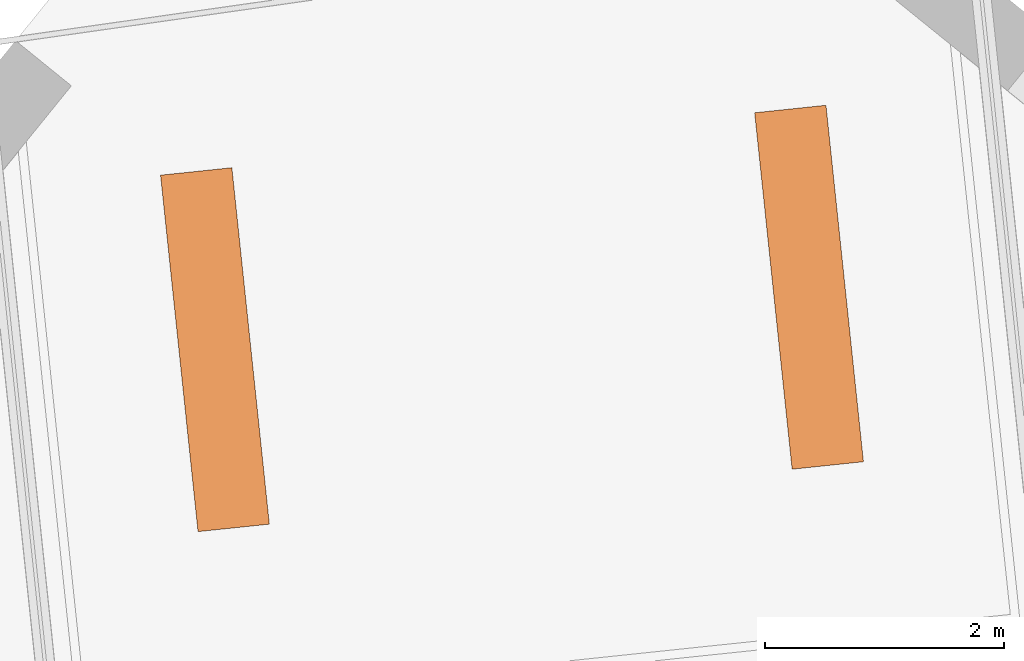
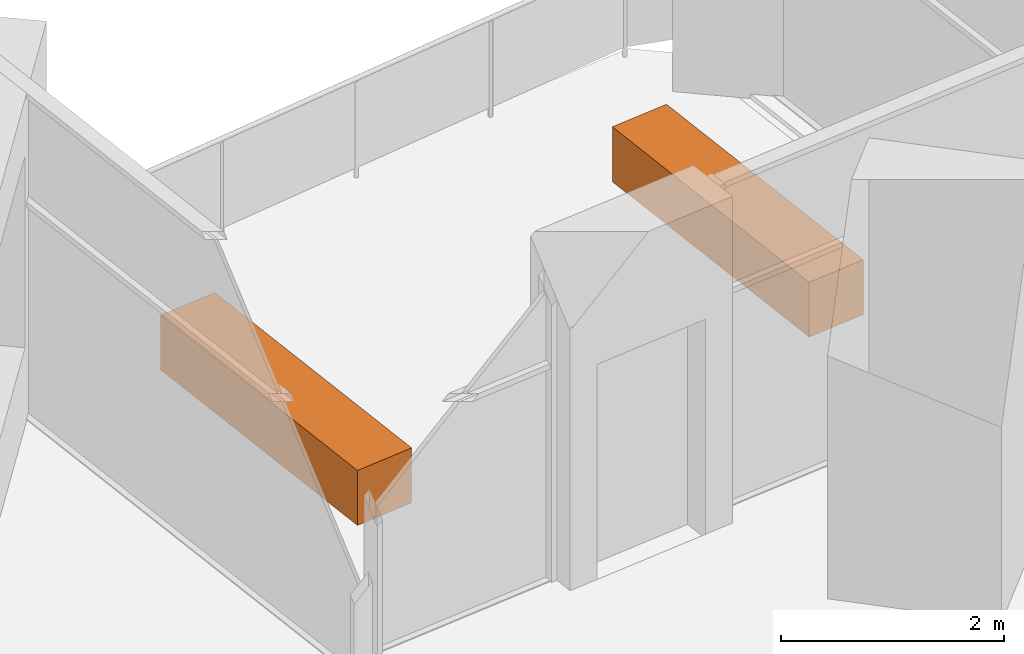
# One storey, part 14 of 14: 2 proxies.
"""IFC4 building model written with IfcOpenShell, lengths in metres."""

import ifcopenshell
import ifcopenshell.guid

model = None  # the IFC model being written
_history = None  # IfcOwnerHistory: only IFC2X3 demands one
_inside = {}  # id of a spatial element -> (the spatial element, [elements in it])
_under = {}  # id of a project, library or spatial element -> (it, [spatial elements below it])
_declared = {}  # id of a project -> (the project, [libraries it declares])
_typed = {}  # id of a type object -> (the type object, [elements of that type])
_made_of = {}  # id of a material, layer set ... -> (it, [elements and type objects made of it])


def new_model(schema):
    """Start an empty IFC model of exactly this schema.

    Asked for "IFC4X3", IfcOpenShell would pick the latest addendum, in which some entities
    have other attributes; the version numbers below select the first issue.
    IFC2X3 requires an IfcOwnerHistory on every rooted entity: one is made here for all.
    """
    global model, _history
    if schema == "IFC4X3":
        model = ifcopenshell.file(schema_version=(4, 3, 0, 0))
    else:
        model = ifcopenshell.file(schema=schema)
    _inside.clear()
    _under.clear()
    _declared.clear()
    _typed.clear()
    _made_of.clear()
    _history = None
    if model.schema == "IFC2X3":
        org = make("IfcOrganization", Name="unknown")
        user = make(
            "IfcPersonAndOrganization",
            ThePerson=make("IfcPerson", FamilyName="unknown"),
            TheOrganization=org,
        )
        app = make(
            "IfcApplication",
            ApplicationDeveloper=org,
            Version="unknown",
            ApplicationFullName="unknown",
            ApplicationIdentifier="unknown",
        )
        _history = make(
            "IfcOwnerHistory",
            OwningUser=user,
            OwningApplication=app,
            ChangeAction="ADDED",
            CreationDate=0,
        )
    return model


def make(cls, **values):
    """One entity of the class cls with the attributes given. An attribute that is None is left unset."""
    return model.create_entity(
        cls, **{name: value for name, value in values.items() if value is not None}
    )


def rooted(cls, **values):
    """An entity with a GlobalId (a new one), such as an element, a storey or a relation."""
    return make(cls, GlobalId=ifcopenshell.guid.new(), OwnerHistory=_history, **values)


def si_unit(unit_type, name, prefix=None):
    """IfcSIUnit, for example si_unit("LENGTHUNIT", "METRE", prefix="MILLI")."""
    return make("IfcSIUnit", UnitType=unit_type, Prefix=prefix, Name=name)


def assignment(units):
    """IfcUnitAssignment: the units of a project."""
    return None if units is None else make("IfcUnitAssignment", Units=units)


def point(xyz):
    """IfcCartesianPoint."""
    return None if xyz is None else make("IfcCartesianPoint", Coordinates=xyz)


def direction(xyz):
    """IfcDirection."""
    return None if xyz is None else make("IfcDirection", DirectionRatios=xyz)


def frame(location, z_axis=None, x_axis=None):
    """IfcAxis2Placement3D, a coordinate frame: its origin and axes. An axis left out is left unset."""
    return make(
        "IfcAxis2Placement3D",
        Location=point(location),
        Axis=direction(z_axis),
        RefDirection=direction(x_axis),
    )


def frame_2d(location, x_axis=None):
    """IfcAxis2Placement2D, a coordinate frame in the plane: its origin and x axis."""
    return make(
        "IfcAxis2Placement2D", Location=point(location), RefDirection=direction(x_axis)
    )


def origin():
    """The frame at (0, 0, 0) with its axes left unset."""
    return frame((0.0, 0.0, 0.0))


def origin_2d():
    """The frame at (0, 0) in the plane with its x axis left unset."""
    return frame_2d((0.0, 0.0))


def place(relative_to, where):
    """IfcLocalPlacement: puts the frame where relative to a parent placement (None: the world)."""
    return make(
        "IfcLocalPlacement", PlacementRelTo=relative_to, RelativePlacement=where
    )


def context(
    kind, dimensions, precision=None, world=None, true_north=None, identifier=None
):
    """IfcGeometricRepresentationContext, for example the 3D "Model" context."""
    return make(
        "IfcGeometricRepresentationContext",
        ContextIdentifier=identifier,
        ContextType=kind,
        CoordinateSpaceDimension=dimensions,
        Precision=precision,
        WorldCoordinateSystem=world,
        TrueNorth=true_north,
    )


def subcontext(parent, identifier, kind, view, scale=None):
    """IfcGeometricRepresentationSubContext, for example "Body" below "Model"."""
    return make(
        "IfcGeometricRepresentationSubContext",
        ContextIdentifier=identifier,
        ContextType=kind,
        ParentContext=parent,
        TargetScale=scale,
        TargetView=view,
    )


def project(units=None, contexts=None):
    """IfcProject with its units and contexts."""
    return rooted(
        "IfcProject",
        Name="project",
        RepresentationContexts=contexts,
        UnitsInContext=assignment(units),
    )


def spatial(cls, under=None, at=None, **own):
    """A site, building, storey or space (cls), placed at a placement, below another one or the project."""
    s = rooted(cls, ObjectPlacement=at, **own)
    if under is not None:
        _under.setdefault(under.id(), (under, []))[1].append(s)
    return s


def profile(cls, at=None, kind="AREA", **sizes):
    """A parametric profile (cls). Its sizes go by their IFC names, for example OverallWidth=200.0."""
    return make(cls, ProfileType=kind, Position=at, **sizes)


def rectangle(**sizes):
    """IfcRectangleProfileDef."""
    return profile("IfcRectangleProfileDef", **sizes)


def extrude(swept, where, along, depth):
    """IfcExtrudedAreaSolid: the profile swept, set in the frame where, extruded along a direction by depth."""
    return make(
        "IfcExtrudedAreaSolid",
        SweptArea=swept,
        Position=where,
        ExtrudedDirection=direction(along),
        Depth=depth,
    )


def shape(context_of_items, identifier, shape_type, items):
    """IfcShapeRepresentation: the items that make up one representation, for example the "Body"."""
    return make(
        "IfcShapeRepresentation",
        ContextOfItems=context_of_items,
        RepresentationIdentifier=identifier,
        RepresentationType=shape_type,
        Items=items,
    )


def made_of(thing, what):
    """Note that an element or type object is made of a material, layer set ...; save() writes the relation."""
    if what is not None:
        _made_of.setdefault(what.id(), (what, []))[1].append(thing)
    return thing


def element(
    cls,
    number,
    at=None,
    inside=None,
    cuts=None,
    type_object=None,
    material=None,
    context=None,
    identifier="Body",
    shape_type=None,
    held_by="IfcProductDefinitionShape",
    body=None,
    shapes=None,
    **own,
):
    """One element of the class cls, such as IfcWall. Its Tag is "e" and its number.

    at: its placement. inside: the storey or other place that contains it. cuts: it is an
    opening in that element (IfcRelVoidsElement). A single representation is given by context,
    identifier, shape_type and body (its items); several are given by shapes. held_by: the class
    of the entity that holds the representations. save() writes the other relations.
    """
    e = rooted(cls, Tag="e%d" % number, ObjectPlacement=at, **own)
    if body is not None:
        shapes = [shape(context, identifier, shape_type, body)]
    if shapes is not None:
        e.Representation = make(held_by, Representations=shapes)
    if inside is not None:
        _inside.setdefault(inside.id(), (inside, []))[1].append(e)
    if cuts is not None:
        rooted(
            "IfcRelVoidsElement", RelatingBuildingElement=cuts, RelatedOpeningElement=e
        )
    if type_object is not None:
        _typed.setdefault(type_object.id(), (type_object, []))[1].append(e)
    return made_of(e, material)


def aggregate(whole, parts):
    """IfcRelAggregates: a whole, such as a stair, and the parts it consists of."""
    return rooted("IfcRelAggregates", RelatingObject=whole, RelatedObjects=parts)


def save(model, path):
    """Write the relations noted so far, then the file.

    IfcRelAggregates (storeys below a building ...), IfcRelContainedInSpatialStructure (elements
    in a storey), IfcRelDefinesByType, IfcRelAssociatesMaterial and IfcRelDeclares: one each for
    every whole, place, type object, material and project.
    """
    for whole, parts in _under.values():
        aggregate(whole, parts)
    for where, things in _inside.values():
        rooted(
            "IfcRelContainedInSpatialStructure",
            RelatedElements=things,
            RelatingStructure=where,
        )
    for kind, things in _typed.values():
        rooted("IfcRelDefinesByType", RelatedObjects=things, RelatingType=kind)
    for what, things in _made_of.values():
        rooted("IfcRelAssociatesMaterial", RelatedObjects=things, RelatingMaterial=what)
    for by, libraries in _declared.values():
        rooted("IfcRelDeclares", RelatingContext=by, RelatedDefinitions=libraries)
    model.write(path)


model = new_model("IFC4")

# Units and contexts
model_context = context("Model", 3, precision=1e-05, world=origin(), true_north=direction((0.0, 1.0)))
body_context = subcontext(model_context, "Body", "Model", "MODEL_VIEW")
ifc_project = project(units=[si_unit("LENGTHUNIT", "METRE"), si_unit("AREAUNIT", "SQUARE_METRE"), si_unit("VOLUMEUNIT", "CUBIC_METRE"), si_unit("PLANEANGLEUNIT", "RADIAN"), si_unit("MASSUNIT", "GRAM", prefix="KILO")], contexts=[model_context])

# Site, building, storey
site_placement = place(None, origin())
site = spatial("IfcSite", under=ifc_project, at=site_placement, CompositionType="ELEMENT")
building_placement = place(site_placement, origin())
building = spatial("IfcBuilding", under=site, at=building_placement, Name="Dilmun Exchange Tower", CompositionType="ELEMENT")
storey_placement = place(building_placement, frame((0.0, 0.0, 229.300048828125)))
storey = spatial("IfcBuildingStorey", under=building, at=storey_placement, Name="L54", CompositionType="ELEMENT", Elevation=229.300048828125)

# Proxies
for number, where, z_axis, x_axis, name in (
    (1, (2.630859375, 32.70947265625, 0.0), (0.0, 0.0, 1.0), (-0.104528463268, 0.994521895368, 0.0), "PLANTER Date palm L54.1"),
    (2, (-2.341796875, 32.18701171875, 0.0), (0.0, 0.0, 1.0), (-0.104528463268, 0.994521895368, 0.0), "PLANTER Date palm L54.2"),
):
    element("IfcBuildingElementProxy", number, at=place(storey_placement, frame(where, z_axis=z_axis, x_axis=x_axis)), inside=storey, Name=name, ObjectType="PLANTER", PredefinedType="USERDEFINED", context=body_context, shape_type="SweptSolid", body=[
        extrude(rectangle(XDim=3.0, YDim=0.60009765625, at=origin_2d()), origin(), (0.0, 0.0, 1.0), 0.60009765625),
    ])

save(model, "model.ifc")
